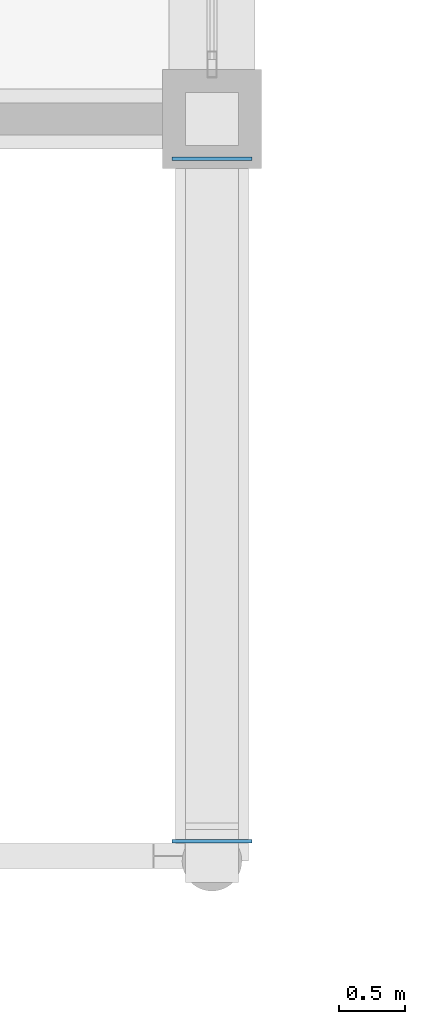
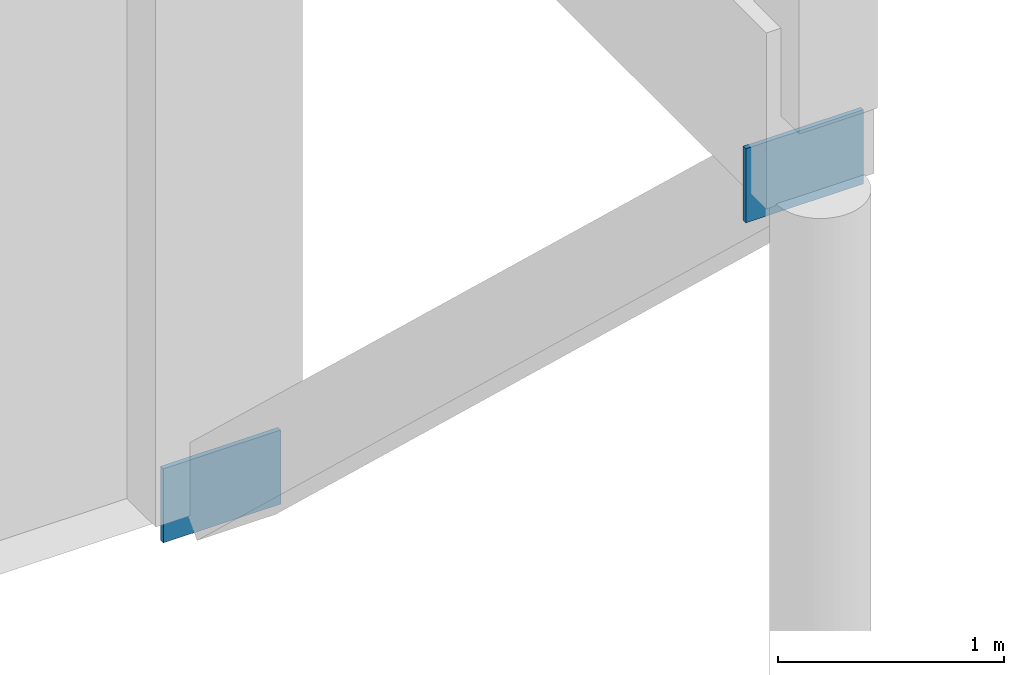
# One storey, part 215 of 236: 2 plates.
"""IFC4 building model written with IfcOpenShell, lengths in metres."""

from ifc_helpers import new_model, si_unit, direction, frame, origin, origin_2d, place, context, subcontext, project, spatial, rectangle, extrude, material, layer, layer_set, type_object, element, save


model = new_model("IFC4")

# Units and contexts
model_context = context("Model", 3, precision=1e-05, world=origin(), true_north=direction((0.0, 1.0)))
body_context = subcontext(model_context, "Body", "Model", "MODEL_VIEW")
ifc_project = project(units=[si_unit("LENGTHUNIT", "METRE"), si_unit("AREAUNIT", "SQUARE_METRE"), si_unit("VOLUMEUNIT", "CUBIC_METRE"), si_unit("PLANEANGLEUNIT", "RADIAN"), si_unit("MASSUNIT", "GRAM", prefix="KILO")], contexts=[model_context])

# Site, building, storey
site_placement = place(None, origin())
site = spatial("IfcSite", under=ifc_project, at=site_placement, CompositionType="ELEMENT")
building_placement = place(site_placement, origin())
building = spatial("IfcBuilding", under=site, at=building_placement, Name="Pandanus Reach Market Hall", CompositionType="ELEMENT")
storey_placement = place(building_placement, frame((0.0, 0.0, 5.39990234375)))
storey = spatial("IfcBuildingStorey", under=building, at=storey_placement, Name="L01", CompositionType="ELEMENT", Elevation=5.39990234375)

# Plates
ifc_material = material(Name="Steel Grade 350 (350 MPa)", Category="steel")
ifc_layer = layer(ifc_material, 0.02392578125, Name="GS-PL24")
ifc_layer_set = layer_set([ifc_layer], Name="Steel Grade 350 (350 MPa)")
plate_type = type_object("IfcPlateType", Name="GS-PL24", PredefinedType="SHEET", material=ifc_layer_set)
for number, where, z_axis, x_axis, name in (
    (1, (132.0, 28.5, -0.14990234375), (0.0, 0.0, 1.0), (1.0, 0.0, 0.0), "Arcade splayed strut anchorage plate GS-PL24 8SA"),
    (2, (132.0, 23.35009765625, 4.7001953125), (0.0, 0.0, 1.0), (1.0, 0.0, 0.0), "Arcade splayed strut anchorage plate GS-PL24 8SB"),
):
    element("IfcPlate", number, at=place(storey_placement, frame(where, z_axis=z_axis, x_axis=x_axis)), inside=storey, type_object=plate_type, Name=name, PredefinedType="SHEET", context=body_context, shape_type="SweptSolid", body=[
        extrude(rectangle(XDim=0.60009765625, YDim=0.02392578125, at=origin_2d()), origin(), (0.0, 0.0, 1.0), 0.39990234375),
    ])

save(model, "model.ifc")
